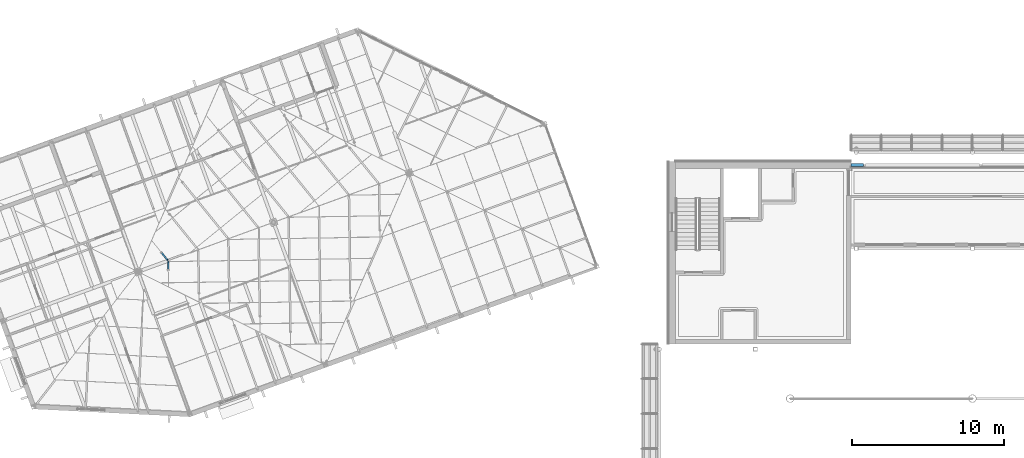
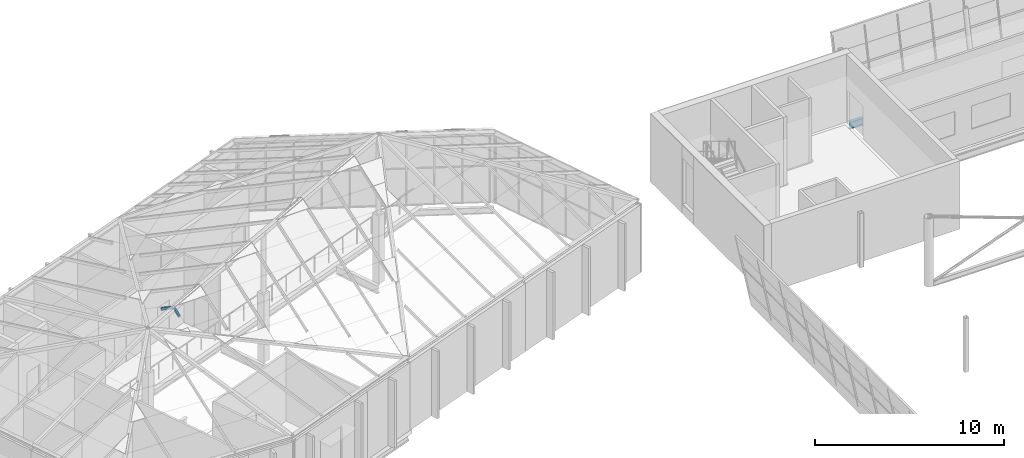
# One storey, part 36 of 95: 2 members, 1 beam.
"""IFC4 building model written with IfcOpenShell, lengths in metres."""

from ifc_helpers import new_model, si_unit, direction, frame, origin, origin_2d, place, context, subcontext, project, spatial, hollow_rectangle, i_section, extrude, material, material_profile, profile_set, type_object, element, save


model = new_model("IFC4")

# Units and contexts
model_context = context("Model", 3, precision=1e-05, world=origin(), true_north=direction((0.0, 1.0)))
body_context = subcontext(model_context, "Body", "Model", "MODEL_VIEW")
ifc_project = project(units=[si_unit("LENGTHUNIT", "METRE"), si_unit("AREAUNIT", "SQUARE_METRE"), si_unit("VOLUMEUNIT", "CUBIC_METRE"), si_unit("PLANEANGLEUNIT", "RADIAN"), si_unit("MASSUNIT", "GRAM", prefix="KILO")], contexts=[model_context])

# Site, building, storey
site_placement = place(None, origin())
site = spatial("IfcSite", under=ifc_project, at=site_placement, CompositionType="ELEMENT")
building_placement = place(site_placement, origin())
building = spatial("IfcBuilding", under=site, at=building_placement, Name="Windward Yard Aquatics Centre", CompositionType="ELEMENT")
storey_placement = place(building_placement, frame((0.0, 0.0, 9.39990234375)))
storey = spatial("IfcBuildingStorey", under=building, at=storey_placement, Name="L02", CompositionType="ELEMENT", Elevation=9.39990234375)

# Members
ifc_material_1 = material(Name="Steel S355", Category="steel")
ifc_material_profile_1 = material_profile(ifc_material_1, hollow_rectangle(XDim=0.10009765625, YDim=0.14990234375, WallThickness=0.006103515625, at=origin_2d()), Name="RHS150x100x6")
ifc_profile_set_1 = profile_set([ifc_material_profile_1], Name="Steel S355")
member_type = type_object("IfcMemberType", Name="F RHS150x100x6 rafter", PredefinedType="RAFTER", material=ifc_profile_set_1)
member_1_placement = place(storey_placement, frame((19.06591796875, 88.88818359375, 7.1220703125), z_axis=(-0.014771435217, 0.932772688582, 0.360162346919), x_axis=(-0.999874633335, -0.01583406499, 0.0)))
element("IfcMember", 1, at=member_1_placement, inside=storey, type_object=member_type, Name="F.RF.R.12.08", PredefinedType="RAFTER", context=body_context, shape_type="SweptSolid", body=[
    extrude(hollow_rectangle(XDim=0.10009765625, YDim=0.14990234375, WallThickness=0.006103515625, at=origin_2d()), origin(), (0.0, 0.0, 1.0), 0.56201171875),
])
member_2_placement = place(storey_placement, frame((18.6171875, 90.013916015625, 7.07861328125), z_axis=(0.588142912667, -0.724088354768, 0.360255421567), x_axis=(0.776207836691, 0.630477116364, 0.0)))
element("IfcMember", 2, at=member_2_placement, inside=storey, type_object=member_type, Name="F.RF.R.13.01", PredefinedType="RAFTER", context=body_context, shape_type="SweptSolid", body=[
    extrude(hollow_rectangle(XDim=0.10009765625, YDim=0.14990234375, WallThickness=0.006103515625, at=origin_2d()), origin(), (0.0, 0.0, 1.0), 0.682373046875),
])

# Beam
ifc_material_2 = material(Name="Steel ASTM A992 Gr 50", Category="steel")
ifc_material_profile_2 = material_profile(ifc_material_2, i_section(OverallWidth=0.19091796875, OverallDepth=0.45703125, WebThickness=0.009033203125, FlangeThickness=0.014404296875, at=origin_2d()), Name="W460X74")
ifc_profile_set_2 = profile_set([ifc_material_profile_2], Name="Steel ASTM A992 Gr 50")
beam_type = type_object("IfcBeamType", Name="H gallery edge beam W460X74", PredefinedType="BEAM", material=ifc_profile_set_2)
beam_placement = place(storey_placement, frame((64.0, 95.77490234375, -0.428466796875), z_axis=(1.0, 0.0, 0.0), x_axis=(0.0, 1.0, 0.0)))
element("IfcBeam", 3, at=beam_placement, inside=storey, type_object=beam_type, Name="H.GB.N.O1", PredefinedType="BEAM", context=body_context, shape_type="SweptSolid", body=[
    extrude(i_section(OverallWidth=0.19091796875, OverallDepth=0.45703125, WebThickness=0.009033203125, FlangeThickness=0.014404296875, at=origin_2d()), origin(), (0.0, 0.0, 1.0), 0.82373046875),
])

save(model, "model.ifc")
